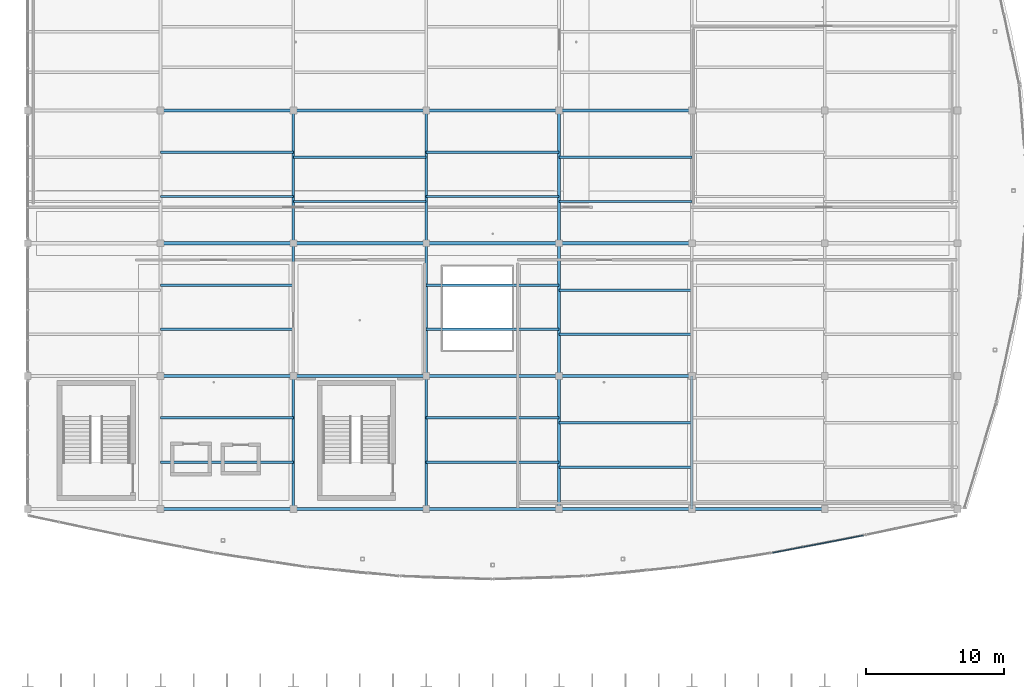
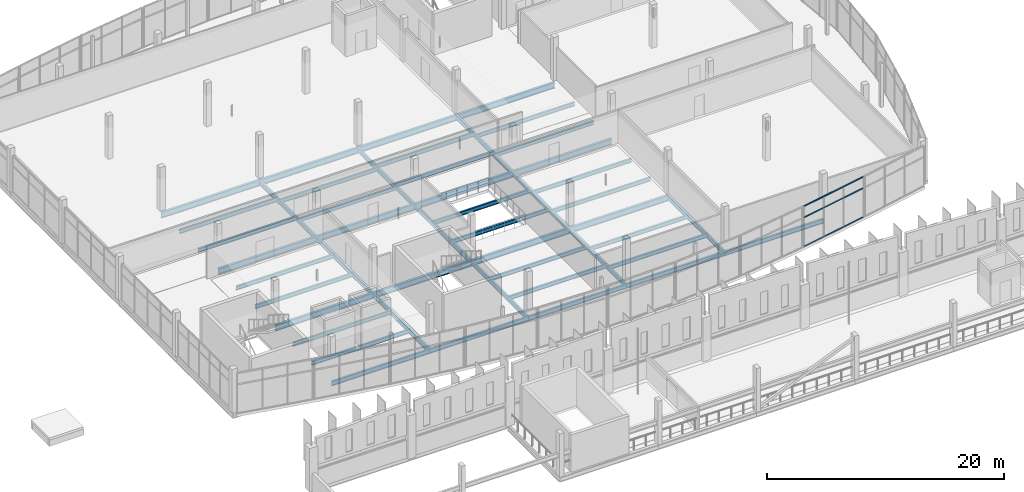
# One storey, part 57 of 114: 47 beams, 3 members, 1 element without a shape of its own.
"""IFC4 building model written with IfcOpenShell, lengths in metres."""

import ifcopenshell
import ifcopenshell.guid

model = None  # the IFC model being written
_history = None  # IfcOwnerHistory: only IFC2X3 demands one
_inside = {}  # id of a spatial element -> (the spatial element, [elements in it])
_under = {}  # id of a project, library or spatial element -> (it, [spatial elements below it])
_declared = {}  # id of a project -> (the project, [libraries it declares])
_typed = {}  # id of a type object -> (the type object, [elements of that type])
_made_of = {}  # id of a material, layer set ... -> (it, [elements and type objects made of it])


def new_model(schema):
    """Start an empty IFC model of exactly this schema.

    Asked for "IFC4X3", IfcOpenShell would pick the latest addendum, in which some entities
    have other attributes; the version numbers below select the first issue.
    IFC2X3 requires an IfcOwnerHistory on every rooted entity: one is made here for all.
    """
    global model, _history
    if schema == "IFC4X3":
        model = ifcopenshell.file(schema_version=(4, 3, 0, 0))
    else:
        model = ifcopenshell.file(schema=schema)
    _inside.clear()
    _under.clear()
    _declared.clear()
    _typed.clear()
    _made_of.clear()
    _history = None
    if model.schema == "IFC2X3":
        org = make("IfcOrganization", Name="unknown")
        user = make(
            "IfcPersonAndOrganization",
            ThePerson=make("IfcPerson", FamilyName="unknown"),
            TheOrganization=org,
        )
        app = make(
            "IfcApplication",
            ApplicationDeveloper=org,
            Version="unknown",
            ApplicationFullName="unknown",
            ApplicationIdentifier="unknown",
        )
        _history = make(
            "IfcOwnerHistory",
            OwningUser=user,
            OwningApplication=app,
            ChangeAction="ADDED",
            CreationDate=0,
        )
    return model


def make(cls, **values):
    """One entity of the class cls with the attributes given. An attribute that is None is left unset."""
    return model.create_entity(
        cls, **{name: value for name, value in values.items() if value is not None}
    )


def rooted(cls, **values):
    """An entity with a GlobalId (a new one), such as an element, a storey or a relation."""
    return make(cls, GlobalId=ifcopenshell.guid.new(), OwnerHistory=_history, **values)


def si_unit(unit_type, name, prefix=None):
    """IfcSIUnit, for example si_unit("LENGTHUNIT", "METRE", prefix="MILLI")."""
    return make("IfcSIUnit", UnitType=unit_type, Prefix=prefix, Name=name)


def assignment(units):
    """IfcUnitAssignment: the units of a project."""
    return None if units is None else make("IfcUnitAssignment", Units=units)


def point(xyz):
    """IfcCartesianPoint."""
    return None if xyz is None else make("IfcCartesianPoint", Coordinates=xyz)


def direction(xyz):
    """IfcDirection."""
    return None if xyz is None else make("IfcDirection", DirectionRatios=xyz)


def frame(location, z_axis=None, x_axis=None):
    """IfcAxis2Placement3D, a coordinate frame: its origin and axes. An axis left out is left unset."""
    return make(
        "IfcAxis2Placement3D",
        Location=point(location),
        Axis=direction(z_axis),
        RefDirection=direction(x_axis),
    )


def frame_2d(location, x_axis=None):
    """IfcAxis2Placement2D, a coordinate frame in the plane: its origin and x axis."""
    return make(
        "IfcAxis2Placement2D", Location=point(location), RefDirection=direction(x_axis)
    )


def origin():
    """The frame at (0, 0, 0) with its axes left unset."""
    return frame((0.0, 0.0, 0.0))


def origin_2d():
    """The frame at (0, 0) in the plane with its x axis left unset."""
    return frame_2d((0.0, 0.0))


def place(relative_to, where):
    """IfcLocalPlacement: puts the frame where relative to a parent placement (None: the world)."""
    return make(
        "IfcLocalPlacement", PlacementRelTo=relative_to, RelativePlacement=where
    )


def context(
    kind, dimensions, precision=None, world=None, true_north=None, identifier=None
):
    """IfcGeometricRepresentationContext, for example the 3D "Model" context."""
    return make(
        "IfcGeometricRepresentationContext",
        ContextIdentifier=identifier,
        ContextType=kind,
        CoordinateSpaceDimension=dimensions,
        Precision=precision,
        WorldCoordinateSystem=world,
        TrueNorth=true_north,
    )


def subcontext(parent, identifier, kind, view, scale=None):
    """IfcGeometricRepresentationSubContext, for example "Body" below "Model"."""
    return make(
        "IfcGeometricRepresentationSubContext",
        ContextIdentifier=identifier,
        ContextType=kind,
        ParentContext=parent,
        TargetScale=scale,
        TargetView=view,
    )


def project(units=None, contexts=None):
    """IfcProject with its units and contexts."""
    return rooted(
        "IfcProject",
        Name="project",
        RepresentationContexts=contexts,
        UnitsInContext=assignment(units),
    )


def spatial(cls, under=None, at=None, **own):
    """A site, building, storey or space (cls), placed at a placement, below another one or the project."""
    s = rooted(cls, ObjectPlacement=at, **own)
    if under is not None:
        _under.setdefault(under.id(), (under, []))[1].append(s)
    return s


def profile(cls, at=None, kind="AREA", **sizes):
    """A parametric profile (cls). Its sizes go by their IFC names, for example OverallWidth=200.0."""
    return make(cls, ProfileType=kind, Position=at, **sizes)


def hollow_rectangle(**sizes):
    """IfcRectangleHollowProfileDef."""
    return profile("IfcRectangleHollowProfileDef", **sizes)


def i_section(**sizes):
    """IfcIShapeProfileDef."""
    return profile("IfcIShapeProfileDef", **sizes)


def extrude(swept, where, along, depth):
    """IfcExtrudedAreaSolid: the profile swept, set in the frame where, extruded along a direction by depth."""
    return make(
        "IfcExtrudedAreaSolid",
        SweptArea=swept,
        Position=where,
        ExtrudedDirection=direction(along),
        Depth=depth,
    )


def shape(context_of_items, identifier, shape_type, items):
    """IfcShapeRepresentation: the items that make up one representation, for example the "Body"."""
    return make(
        "IfcShapeRepresentation",
        ContextOfItems=context_of_items,
        RepresentationIdentifier=identifier,
        RepresentationType=shape_type,
        Items=items,
    )


def material(Name=None, Category=None):
    """IfcMaterial."""
    return make("IfcMaterial", Name=Name, Category=Category)


def layer(
    of_material, thickness, ventilated=None, Name=None, Category=None, Priority=None
):
    """IfcMaterialLayer: one layer of a wall or slab, of a material (None: an air gap)."""
    return make(
        "IfcMaterialLayer",
        Material=of_material,
        LayerThickness=thickness,
        IsVentilated=ventilated,
        Name=Name,
        Category=Category,
        Priority=Priority,
    )


def layer_set(layers, Name=None):
    """IfcMaterialLayerSet."""
    return make("IfcMaterialLayerSet", MaterialLayers=layers, LayerSetName=Name)


def material_profile(
    of_material, cross_section, Name=None, Category=None, Priority=None
):
    """IfcMaterialProfile: a cross section and its material."""
    return make(
        "IfcMaterialProfile",
        Name=Name,
        Material=of_material,
        Profile=cross_section,
        Priority=Priority,
        Category=Category,
    )


def profile_set(profiles, Name=None, composite=None):
    """IfcMaterialProfileSet."""
    return make(
        "IfcMaterialProfileSet",
        Name=Name,
        MaterialProfiles=profiles,
        CompositeProfile=composite,
    )


def made_of(thing, what):
    """Note that an element or type object is made of a material, layer set ...; save() writes the relation."""
    if what is not None:
        _made_of.setdefault(what.id(), (what, []))[1].append(thing)
    return thing


def type_object(cls, material=None, **own):
    """A type object (cls), such as IfcWallType, which elements share."""
    return made_of(rooted(cls, **own), material)


def element(
    cls,
    number,
    at=None,
    inside=None,
    cuts=None,
    type_object=None,
    material=None,
    context=None,
    identifier="Body",
    shape_type=None,
    held_by="IfcProductDefinitionShape",
    body=None,
    shapes=None,
    **own,
):
    """One element of the class cls, such as IfcWall. Its Tag is "e" and its number.

    at: its placement. inside: the storey or other place that contains it. cuts: it is an
    opening in that element (IfcRelVoidsElement). A single representation is given by context,
    identifier, shape_type and body (its items); several are given by shapes. held_by: the class
    of the entity that holds the representations. save() writes the other relations.
    """
    e = rooted(cls, Tag="e%d" % number, ObjectPlacement=at, **own)
    if body is not None:
        shapes = [shape(context, identifier, shape_type, body)]
    if shapes is not None:
        e.Representation = make(held_by, Representations=shapes)
    if inside is not None:
        _inside.setdefault(inside.id(), (inside, []))[1].append(e)
    if cuts is not None:
        rooted(
            "IfcRelVoidsElement", RelatingBuildingElement=cuts, RelatedOpeningElement=e
        )
    if type_object is not None:
        _typed.setdefault(type_object.id(), (type_object, []))[1].append(e)
    return made_of(e, material)


def aggregate(whole, parts):
    """IfcRelAggregates: a whole, such as a stair, and the parts it consists of."""
    return rooted("IfcRelAggregates", RelatingObject=whole, RelatedObjects=parts)


def save(model, path):
    """Write the relations noted so far, then the file.

    IfcRelAggregates (storeys below a building ...), IfcRelContainedInSpatialStructure (elements
    in a storey), IfcRelDefinesByType, IfcRelAssociatesMaterial and IfcRelDeclares: one each for
    every whole, place, type object, material and project.
    """
    for whole, parts in _under.values():
        aggregate(whole, parts)
    for where, things in _inside.values():
        rooted(
            "IfcRelContainedInSpatialStructure",
            RelatedElements=things,
            RelatingStructure=where,
        )
    for kind, things in _typed.values():
        rooted("IfcRelDefinesByType", RelatedObjects=things, RelatingType=kind)
    for what, things in _made_of.values():
        rooted("IfcRelAssociatesMaterial", RelatedObjects=things, RelatingMaterial=what)
    for by, libraries in _declared.values():
        rooted("IfcRelDeclares", RelatingContext=by, RelatedDefinitions=libraries)
    model.write(path)


model = new_model("IFC4")

# Units and contexts
model_context = context("Model", 3, precision=1e-05, world=origin(), true_north=direction((0.0, 1.0)))
body_context = subcontext(model_context, "Body", "Model", "MODEL_VIEW")
ifc_project = project(units=[si_unit("LENGTHUNIT", "METRE"), si_unit("AREAUNIT", "SQUARE_METRE"), si_unit("VOLUMEUNIT", "CUBIC_METRE"), si_unit("PLANEANGLEUNIT", "RADIAN"), si_unit("MASSUNIT", "GRAM", prefix="KILO")], contexts=[model_context])

# Site, building, storey
site_placement = place(None, origin())
site = spatial("IfcSite", under=ifc_project, at=site_placement, CompositionType="ELEMENT")
building_placement = place(site_placement, origin())
building = spatial("IfcBuilding", under=site, at=building_placement, Name="Chalmorin Arch Market", CompositionType="ELEMENT")
storey_placement = place(building_placement, frame((0.0, 0.0, 9.60009765625)))
storey = spatial("IfcBuildingStorey", under=building, at=storey_placement, Name="L02", CompositionType="ELEMENT", Elevation=9.60009765625)

# Curtain wall, members
ifc_material_1 = material(Name="Aluminium 6063-T6", Category="aluminium")
ifc_layer = layer(ifc_material_1, 0.159912109375)
ifc_layer_set = layer_set([ifc_layer], Name="Aluminium 6063-T6")
curtain_wall_type = type_object("IfcCurtainWallType", Name="CulinaryStudioCurtainWall-CW3-6660x4220", PredefinedType="NOTDEFINED", material=ifc_layer_set)
curtain_wall_placement = place(storey_placement, origin())
curtain_wall = element("IfcCurtainWall", 1, at=curtain_wall_placement, inside=storey, type_object=curtain_wall_type, Name="CW-03-175", PredefinedType="NOTDEFINED")
ifc_material_profile_1 = material_profile(ifc_material_1, hollow_rectangle(XDim=0.06494140625, YDim=0.1298828125, WallThickness=0.00390625, at=origin_2d()), Name="ALU65X130X4")
ifc_profile_set_1 = profile_set([ifc_material_profile_1], Name="Aluminium 6063-T6")
member_type = type_object("IfcMemberType", Name="CurtainWallTransom-65x130", PredefinedType="USERDEFINED", material=ifc_profile_set_1)
member_1_placement = place(storey_placement, frame((101.848388671875, 68.8330078125, 0.034912109375), z_axis=(0.982264065399, 0.187502815514, 0.0), x_axis=(-0.187502815514, 0.982264065399, 0.0)))
member_1 = element("IfcMember", 2, at=member_1_placement, type_object=member_type, Name="TR-175-01", ObjectType="TRANSOM", PredefinedType="USERDEFINED", context=body_context, shape_type="SweptSolid", body=[
    extrude(hollow_rectangle(XDim=0.06494140625, YDim=0.1298828125, WallThickness=0.00390625, at=origin_2d()), origin(), (0.0, 0.0, 1.0), 6.661376953125),
])
member_2_placement = place(storey_placement, frame((101.848388671875, 68.8330078125, 3.038330078125), z_axis=(0.982264065399, 0.187502815514, 0.0), x_axis=(-0.187502815514, 0.982264065399, 0.0)))
member_2 = element("IfcMember", 3, at=member_2_placement, type_object=member_type, Name="TR-175-02", ObjectType="TRANSOM", PredefinedType="USERDEFINED", context=body_context, shape_type="SweptSolid", body=[
    extrude(hollow_rectangle(XDim=0.06494140625, YDim=0.1298828125, WallThickness=0.00390625, at=origin_2d()), origin(), (0.0, 0.0, 1.0), 6.661376953125),
])
member_3_placement = place(storey_placement, frame((101.848388671875, 68.8330078125, 4.184814453125), z_axis=(0.982264065399, 0.187502815514, 0.0), x_axis=(-0.187502815514, 0.982264065399, 0.0)))
member_3 = element("IfcMember", 4, at=member_3_placement, type_object=member_type, Name="TR-175-03", ObjectType="TRANSOM", PredefinedType="USERDEFINED", context=body_context, shape_type="SweptSolid", body=[
    extrude(hollow_rectangle(XDim=0.06494140625, YDim=0.1298828125, WallThickness=0.00390625, at=origin_2d()), origin(), (0.0, 0.0, 1.0), 6.661376953125),
])
aggregate(curtain_wall, [member_1, member_2, member_3])

# Beams
ifc_material_2 = material(Name="Steel A992 Grade 50", Category="steel")
ifc_material_profile_2 = material_profile(ifc_material_2, i_section(OverallWidth=0.193115234375, OverallDepth=0.466064453125, WebThickness=0.011474609375, FlangeThickness=0.01904296875, FilletRadius=0.02001953125, at=origin_2d()), Name="W18X65")
ifc_profile_set_2 = profile_set([ifc_material_profile_2], Name="Steel A992 Grade 50")
beam_type_1 = type_object("IfcBeamType", Name="FloorSteelBeam-W18X65", PredefinedType="BEAM", material=ifc_profile_set_2)
beam_1_placement = place(storey_placement, frame((67.199951171875, 72.0, -0.51513671875), z_axis=(0.0, 1.0, 0.0), x_axis=(-1.0, 0.0, 0.0)))
element("IfcBeam", 5, at=beam_1_placement, inside=storey, type_object=beam_type_1, Name="BM-W18A-1237", PredefinedType="BEAM", context=body_context, shape_type="SweptSolid", body=[
    extrude(i_section(OverallWidth=0.193115234375, OverallDepth=0.466064453125, WebThickness=0.011474609375, FlangeThickness=0.01904296875, FilletRadius=0.02001953125, at=origin_2d()), origin(), (0.0, 0.0, 1.0), 9.60009765625),
])
beam_2_placement = place(storey_placement, frame((67.199951171875, 81.60009765625, -0.51513671875), z_axis=(0.0, 1.0, 0.0), x_axis=(-1.0, 0.0, 0.0)))
element("IfcBeam", 6, at=beam_2_placement, inside=storey, type_object=beam_type_1, Name="BM-W18A-1239", PredefinedType="BEAM", context=body_context, shape_type="SweptSolid", body=[
    extrude(i_section(OverallWidth=0.193115234375, OverallDepth=0.466064453125, WebThickness=0.011474609375, FlangeThickness=0.01904296875, FilletRadius=0.02001953125, at=origin_2d()), origin(), (0.0, 0.0, 1.0), 9.599853515625),
])
for number, where, z_axis, x_axis, name in (
    (7, (67.199951171875, 91.199951171875, -0.51513671875), (0.0, 1.0, 0.0), (-1.0, 0.0, 0.0), "BM-W18A-1241"),
    (8, (76.800048828125, 72.0, -0.51513671875), (0.0, 1.0, 0.0), (-1.0, 0.0, 0.0), "BM-W18A-1248"),
):
    element("IfcBeam", number, at=place(storey_placement, frame(where, z_axis=z_axis, x_axis=x_axis)), inside=storey, type_object=beam_type_1, Name=name, PredefinedType="BEAM", context=body_context, shape_type="SweptSolid", body=[
        extrude(i_section(OverallWidth=0.193115234375, OverallDepth=0.466064453125, WebThickness=0.011474609375, FlangeThickness=0.01904296875, FilletRadius=0.02001953125, at=origin_2d()), origin(), (0.0, 0.0, 1.0), 9.60009765625),
    ])
beam_3_placement = place(storey_placement, frame((76.800048828125, 81.60009765625, -0.51513671875), z_axis=(0.0, 1.0, 0.0), x_axis=(-1.0, 0.0, 0.0)))
element("IfcBeam", 9, at=beam_3_placement, inside=storey, type_object=beam_type_1, Name="BM-W18A-1250", PredefinedType="BEAM", context=body_context, shape_type="SweptSolid", body=[
    extrude(i_section(OverallWidth=0.193115234375, OverallDepth=0.466064453125, WebThickness=0.011474609375, FlangeThickness=0.01904296875, FilletRadius=0.02001953125, at=origin_2d()), origin(), (0.0, 0.0, 1.0), 9.599853515625),
])
for number, where, z_axis, x_axis, name in (
    (10, (76.800048828125, 91.199951171875, -0.51513671875), (0.0, 1.0, 0.0), (-1.0, 0.0, 0.0), "BM-W18A-1252"),
    (11, (86.39990234375, 72.0, -0.51513671875), (0.0, 1.0, 0.0), (-1.0, 0.0, 0.0), "BM-W18A-1259"),
):
    element("IfcBeam", number, at=place(storey_placement, frame(where, z_axis=z_axis, x_axis=x_axis)), inside=storey, type_object=beam_type_1, Name=name, PredefinedType="BEAM", context=body_context, shape_type="SweptSolid", body=[
        extrude(i_section(OverallWidth=0.193115234375, OverallDepth=0.466064453125, WebThickness=0.011474609375, FlangeThickness=0.01904296875, FilletRadius=0.02001953125, at=origin_2d()), origin(), (0.0, 0.0, 1.0), 9.60009765625),
    ])
beam_4_placement = place(storey_placement, frame((86.39990234375, 81.60009765625, -0.51513671875), z_axis=(0.0, 1.0, 0.0), x_axis=(-1.0, 0.0, 0.0)))
element("IfcBeam", 12, at=beam_4_placement, inside=storey, type_object=beam_type_1, Name="BM-W18A-1261", PredefinedType="BEAM", context=body_context, shape_type="SweptSolid", body=[
    extrude(i_section(OverallWidth=0.193115234375, OverallDepth=0.466064453125, WebThickness=0.011474609375, FlangeThickness=0.01904296875, FilletRadius=0.02001953125, at=origin_2d()), origin(), (0.0, 0.0, 1.0), 9.599853515625),
])
for number, where, z_axis, x_axis, name in (
    (13, (86.39990234375, 91.199951171875, -0.51513671875), (0.0, 1.0, 0.0), (-1.0, 0.0, 0.0), "BM-W18A-1263"),
    (14, (96.0, 72.0, -0.51513671875), (0.0, 1.0, 0.0), (-1.0, 0.0, 0.0), "BM-W18A-1270"),
):
    element("IfcBeam", number, at=place(storey_placement, frame(where, z_axis=z_axis, x_axis=x_axis)), inside=storey, type_object=beam_type_1, Name=name, PredefinedType="BEAM", context=body_context, shape_type="SweptSolid", body=[
        extrude(i_section(OverallWidth=0.193115234375, OverallDepth=0.466064453125, WebThickness=0.011474609375, FlangeThickness=0.01904296875, FilletRadius=0.02001953125, at=origin_2d()), origin(), (0.0, 0.0, 1.0), 9.60009765625),
    ])
ifc_material_profile_3 = material_profile(ifc_material_2, i_section(OverallWidth=0.19091796875, OverallDepth=0.45703125, WebThickness=0.009033203125, FlangeThickness=0.014404296875, FilletRadius=0.02001953125, at=origin_2d()), Name="W18X50")
ifc_profile_set_3 = profile_set([ifc_material_profile_3], Name="Steel A992 Grade 50")
beam_type_2 = type_object("IfcBeamType", Name="PerimeterSpandrelBeam-W18X50", PredefinedType="SPANDREL", material=ifc_profile_set_3)
beam_5_placement = place(storey_placement, frame((57.60009765625, 72.0, -0.510498046875), z_axis=(1.0, 0.0, 0.0), x_axis=(0.0, 1.0, 0.0)))
element("IfcBeam", 15, at=beam_5_placement, inside=storey, type_object=beam_type_2, Name="SP-W18-1235", PredefinedType="SPANDREL", context=body_context, shape_type="SweptSolid", body=[
    extrude(i_section(OverallWidth=0.19091796875, OverallDepth=0.45703125, WebThickness=0.009033203125, FlangeThickness=0.014404296875, FilletRadius=0.02001953125, at=origin_2d()), origin(), (0.0, 0.0, 1.0), 9.599853515625),
])
beam_6_placement = place(storey_placement, frame((67.199951171875, 72.0, -0.510498046875), z_axis=(1.0, 0.0, 0.0), x_axis=(0.0, 1.0, 0.0)))
element("IfcBeam", 16, at=beam_6_placement, inside=storey, type_object=beam_type_2, Name="SP-W18-1246", PredefinedType="SPANDREL", context=body_context, shape_type="SweptSolid", body=[
    extrude(i_section(OverallWidth=0.19091796875, OverallDepth=0.45703125, WebThickness=0.009033203125, FlangeThickness=0.014404296875, FilletRadius=0.02001953125, at=origin_2d()), origin(), (0.0, 0.0, 1.0), 9.60009765625),
])
beam_7_placement = place(storey_placement, frame((76.800048828125, 72.0, -0.510498046875), z_axis=(1.0, 0.0, 0.0), x_axis=(0.0, 1.0, 0.0)))
element("IfcBeam", 17, at=beam_7_placement, inside=storey, type_object=beam_type_2, Name="SP-W18-1257", PredefinedType="SPANDREL", context=body_context, shape_type="SweptSolid", body=[
    extrude(i_section(OverallWidth=0.19091796875, OverallDepth=0.45703125, WebThickness=0.009033203125, FlangeThickness=0.014404296875, FilletRadius=0.02001953125, at=origin_2d()), origin(), (0.0, 0.0, 1.0), 9.599853515625),
])
for number, where, z_axis, x_axis, name in (
    (18, (86.39990234375, 72.0, -0.510498046875), (1.0, 0.0, 0.0), (0.0, 1.0, 0.0), "SP-W18-1268"),
    (19, (96.0, 72.0, -0.510498046875), (1.0, 0.0, 0.0), (0.0, 1.0, 0.0), "SP-W18-1279"),
):
    element("IfcBeam", number, at=place(storey_placement, frame(where, z_axis=z_axis, x_axis=x_axis)), inside=storey, type_object=beam_type_2, Name=name, PredefinedType="SPANDREL", context=body_context, shape_type="SweptSolid", body=[
        extrude(i_section(OverallWidth=0.19091796875, OverallDepth=0.45703125, WebThickness=0.009033203125, FlangeThickness=0.014404296875, FilletRadius=0.02001953125, at=origin_2d()), origin(), (0.0, 0.0, 1.0), 9.60009765625),
    ])
ifc_material_profile_4 = material_profile(ifc_material_2, i_section(OverallWidth=0.22802734375, OverallDepth=0.60791015625, WebThickness=0.01123046875, FlangeThickness=0.017333984375, FilletRadius=0.02392578125, at=origin_2d()), Name="W24X76")
ifc_profile_set_4 = profile_set([ifc_material_profile_4], Name="Steel A992 Grade 50")
beam_type_3 = type_object("IfcBeamType", Name="PrimarySteelGirder-W24X76", PredefinedType="BEAM", material=ifc_profile_set_4)
for number, where, z_axis, x_axis, name in (
    (20, (57.60009765625, 81.60009765625, -0.586181640625), (1.0, 0.0, 0.0), (0.0, 1.0, 0.0), "BG-W24B-1236"),
    (21, (57.60009765625, 91.199951171875, -0.586181640625), (1.0, 0.0, 0.0), (0.0, 1.0, 0.0), "BG-W24B-1238"),
    (22, (57.60009765625, 100.800048828125, -0.586181640625), (1.0, 0.0, 0.0), (0.0, 1.0, 0.0), "BG-W24B-1240"),
):
    element("IfcBeam", number, at=place(storey_placement, frame(where, z_axis=z_axis, x_axis=x_axis)), inside=storey, type_object=beam_type_3, Name=name, PredefinedType="BEAM", context=body_context, shape_type="SweptSolid", body=[
        extrude(i_section(OverallWidth=0.22802734375, OverallDepth=0.60791015625, WebThickness=0.01123046875, FlangeThickness=0.017333984375, FilletRadius=0.02392578125, at=origin_2d()), origin(), (0.0, 0.0, 1.0), 9.599853515625),
    ])
for number, where, z_axis, x_axis, name in (
    (23, (67.199951171875, 81.60009765625, -0.586181640625), (1.0, 0.0, 0.0), (0.0, 1.0, 0.0), "BG-W24B-1247"),
    (24, (67.199951171875, 91.199951171875, -0.586181640625), (1.0, 0.0, 0.0), (0.0, 1.0, 0.0), "BG-W24B-1249"),
    (25, (67.199951171875, 100.800048828125, -0.586181640625), (1.0, 0.0, 0.0), (0.0, 1.0, 0.0), "BG-W24B-1251"),
):
    element("IfcBeam", number, at=place(storey_placement, frame(where, z_axis=z_axis, x_axis=x_axis)), inside=storey, type_object=beam_type_3, Name=name, PredefinedType="BEAM", context=body_context, shape_type="SweptSolid", body=[
        extrude(i_section(OverallWidth=0.22802734375, OverallDepth=0.60791015625, WebThickness=0.01123046875, FlangeThickness=0.017333984375, FilletRadius=0.02392578125, at=origin_2d()), origin(), (0.0, 0.0, 1.0), 9.60009765625),
    ])
for number, where, z_axis, x_axis, name in (
    (26, (76.800048828125, 81.60009765625, -0.586181640625), (1.0, 0.0, 0.0), (0.0, 1.0, 0.0), "BG-W24B-1258"),
    (27, (76.800048828125, 91.199951171875, -0.586181640625), (1.0, 0.0, 0.0), (0.0, 1.0, 0.0), "BG-W24B-1260"),
    (28, (76.800048828125, 100.800048828125, -0.586181640625), (1.0, 0.0, 0.0), (0.0, 1.0, 0.0), "BG-W24B-1262"),
):
    element("IfcBeam", number, at=place(storey_placement, frame(where, z_axis=z_axis, x_axis=x_axis)), inside=storey, type_object=beam_type_3, Name=name, PredefinedType="BEAM", context=body_context, shape_type="SweptSolid", body=[
        extrude(i_section(OverallWidth=0.22802734375, OverallDepth=0.60791015625, WebThickness=0.01123046875, FlangeThickness=0.017333984375, FilletRadius=0.02392578125, at=origin_2d()), origin(), (0.0, 0.0, 1.0), 9.599853515625),
    ])
for number, where, z_axis, x_axis, name in (
    (29, (86.39990234375, 81.60009765625, -0.586181640625), (1.0, 0.0, 0.0), (0.0, 1.0, 0.0), "BG-W24B-1269"),
    (30, (86.39990234375, 91.199951171875, -0.586181640625), (1.0, 0.0, 0.0), (0.0, 1.0, 0.0), "BG-W24B-1271"),
    (31, (86.39990234375, 100.800048828125, -0.586181640625), (1.0, 0.0, 0.0), (0.0, 1.0, 0.0), "BG-W24B-1273"),
):
    element("IfcBeam", number, at=place(storey_placement, frame(where, z_axis=z_axis, x_axis=x_axis)), inside=storey, type_object=beam_type_3, Name=name, PredefinedType="BEAM", context=body_context, shape_type="SweptSolid", body=[
        extrude(i_section(OverallWidth=0.22802734375, OverallDepth=0.60791015625, WebThickness=0.01123046875, FlangeThickness=0.017333984375, FilletRadius=0.02392578125, at=origin_2d()), origin(), (0.0, 0.0, 1.0), 9.60009765625),
    ])
ifc_material_profile_5 = material_profile(ifc_material_2, i_section(OverallWidth=0.177978515625, OverallDepth=0.403076171875, WebThickness=0.007568359375, FlangeThickness=0.010986328125, FilletRadius=0.01806640625, at=origin_2d()), Name="W16X36")
ifc_profile_set_5 = profile_set([ifc_material_profile_5], Name="Steel A992 Grade 50")
beam_type_4 = type_object("IfcBeamType", Name="SecondaryFloorJoist-W16X36", PredefinedType="JOIST", material=ifc_profile_set_5)
for number, where, z_axis, x_axis, name in (
    (32, (57.60009765625, 75.3798828125, -0.483642578125), (1.0, 0.0, 0.0), (0.0, 1.0, 0.0), "BJ-W16B-1309"),
    (33, (57.60009765625, 78.580078125, -0.483642578125), (1.0, 0.0, 0.0), (0.0, 1.0, 0.0), "BJ-W16B-1310"),
    (34, (57.60009765625, 84.97998046875, -0.483642578125), (1.0, 0.0, 0.0), (0.0, 1.0, 0.0), "BJ-W16B-1311"),
    (35, (57.60009765625, 88.179931640625, -0.483642578125), (1.0, 0.0, 0.0), (0.0, 1.0, 0.0), "BJ-W16B-1312"),
    (36, (57.60009765625, 94.580078125, -0.483642578125), (1.0, 0.0, 0.0), (0.0, 1.0, 0.0), "BJ-W16B-1313"),
    (37, (57.60009765625, 97.780029296875, -0.483642578125), (1.0, 0.0, 0.0), (0.0, 1.0, 0.0), "BJ-W16B-1314"),
):
    element("IfcBeam", number, at=place(storey_placement, frame(where, z_axis=z_axis, x_axis=x_axis)), inside=storey, type_object=beam_type_4, Name=name, PredefinedType="JOIST", context=body_context, shape_type="SweptSolid", body=[
        extrude(i_section(OverallWidth=0.177978515625, OverallDepth=0.403076171875, WebThickness=0.007568359375, FlangeThickness=0.010986328125, FilletRadius=0.01806640625, at=origin_2d()), origin(), (0.0, 0.0, 1.0), 9.599853515625),
    ])
for number, where, z_axis, x_axis, name in (
    (38, (67.199951171875, 94.219970703125, -0.483642578125), (1.0, 0.0, 0.0), (0.0, 1.0, 0.0), "BJ-W16B-1319"),
    (39, (67.199951171875, 97.419921875, -0.483642578125), (1.0, 0.0, 0.0), (0.0, 1.0, 0.0), "BJ-W16B-1320"),
):
    element("IfcBeam", number, at=place(storey_placement, frame(where, z_axis=z_axis, x_axis=x_axis)), inside=storey, type_object=beam_type_4, Name=name, PredefinedType="JOIST", context=body_context, shape_type="SweptSolid", body=[
        extrude(i_section(OverallWidth=0.177978515625, OverallDepth=0.403076171875, WebThickness=0.007568359375, FlangeThickness=0.010986328125, FilletRadius=0.01806640625, at=origin_2d()), origin(), (0.0, 0.0, 1.0), 9.60009765625),
    ])
for number, where, z_axis, x_axis, name in (
    (40, (76.800048828125, 75.3798828125, -0.483642578125), (1.0, 0.0, 0.0), (0.0, 1.0, 0.0), "BJ-W16B-1325"),
    (41, (76.800048828125, 78.580078125, -0.483642578125), (1.0, 0.0, 0.0), (0.0, 1.0, 0.0), "BJ-W16B-1326"),
    (42, (76.800048828125, 84.97998046875, -0.483642578125), (1.0, 0.0, 0.0), (0.0, 1.0, 0.0), "BJ-W16B-1327"),
    (43, (76.800048828125, 88.179931640625, -0.483642578125), (1.0, 0.0, 0.0), (0.0, 1.0, 0.0), "BJ-W16B-1328"),
    (44, (76.800048828125, 94.580078125, -0.483642578125), (1.0, 0.0, 0.0), (0.0, 1.0, 0.0), "BJ-W16B-1329"),
    (45, (76.800048828125, 97.780029296875, -0.483642578125), (1.0, 0.0, 0.0), (0.0, 1.0, 0.0), "BJ-W16B-1330"),
):
    element("IfcBeam", number, at=place(storey_placement, frame(where, z_axis=z_axis, x_axis=x_axis)), inside=storey, type_object=beam_type_4, Name=name, PredefinedType="JOIST", context=body_context, shape_type="SweptSolid", body=[
        extrude(i_section(OverallWidth=0.177978515625, OverallDepth=0.403076171875, WebThickness=0.007568359375, FlangeThickness=0.010986328125, FilletRadius=0.01806640625, at=origin_2d()), origin(), (0.0, 0.0, 1.0), 9.599853515625),
    ])
for number, where, z_axis, x_axis, name in (
    (46, (86.39990234375, 75.02001953125, -0.483642578125), (1.0, 0.0, 0.0), (0.0, 1.0, 0.0), "BJ-W16B-1335"),
    (47, (86.39990234375, 78.219970703125, -0.483642578125), (1.0, 0.0, 0.0), (0.0, 1.0, 0.0), "BJ-W16B-1336"),
    (48, (86.39990234375, 84.6201171875, -0.483642578125), (1.0, 0.0, 0.0), (0.0, 1.0, 0.0), "BJ-W16B-1337"),
    (49, (86.39990234375, 87.820068359375, -0.483642578125), (1.0, 0.0, 0.0), (0.0, 1.0, 0.0), "BJ-W16B-1338"),
    (50, (86.39990234375, 94.219970703125, -0.483642578125), (1.0, 0.0, 0.0), (0.0, 1.0, 0.0), "BJ-W16B-1339"),
    (51, (86.39990234375, 97.419921875, -0.483642578125), (1.0, 0.0, 0.0), (0.0, 1.0, 0.0), "BJ-W16B-1340"),
):
    element("IfcBeam", number, at=place(storey_placement, frame(where, z_axis=z_axis, x_axis=x_axis)), inside=storey, type_object=beam_type_4, Name=name, PredefinedType="JOIST", context=body_context, shape_type="SweptSolid", body=[
        extrude(i_section(OverallWidth=0.177978515625, OverallDepth=0.403076171875, WebThickness=0.007568359375, FlangeThickness=0.010986328125, FilletRadius=0.01806640625, at=origin_2d()), origin(), (0.0, 0.0, 1.0), 9.60009765625),
    ])

save(model, "model.ifc")
